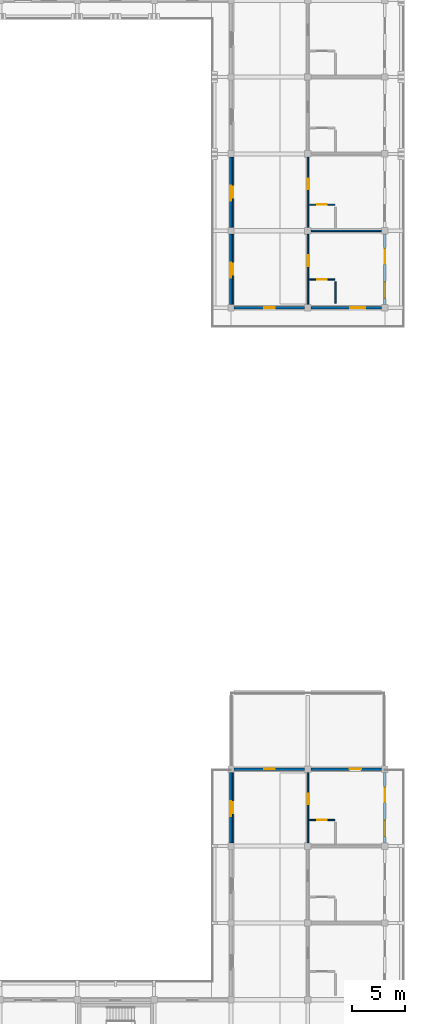
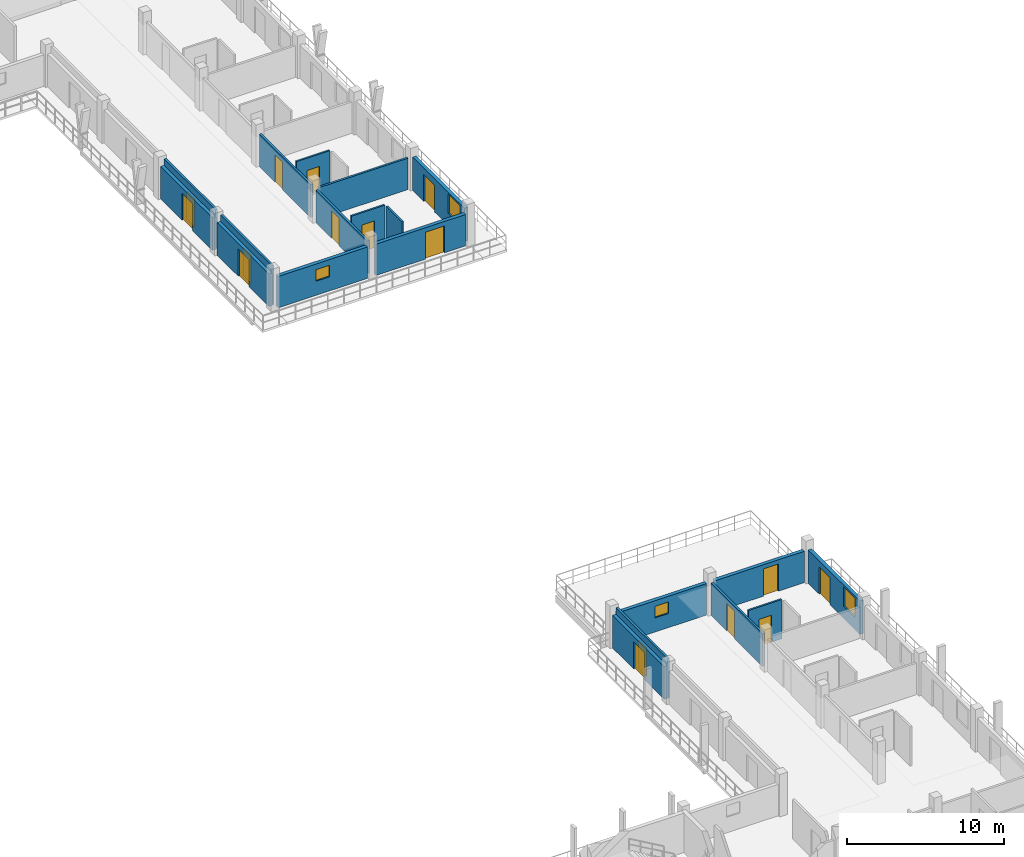
# One storey, part 53 of 75: 20 walls, 16 doors, 4 windows, 20 openings.
"""IFC4 building model written with IfcOpenShell, lengths in metres."""

from ifc_helpers import new_model, si_unit, direction, frame, frame_2d, origin, place, context, subcontext, project, spatial, rectangle, extrude, material, layer, layer_set, type_object, element, fill, save


model = new_model("IFC4")

# Units and contexts
model_context = context("Model", 3, precision=1e-05, world=origin(), true_north=direction((0.0, 1.0)))
body_context = subcontext(model_context, "Body", "Model", "MODEL_VIEW")
ifc_project = project(units=[si_unit("LENGTHUNIT", "METRE"), si_unit("AREAUNIT", "SQUARE_METRE"), si_unit("VOLUMEUNIT", "CUBIC_METRE"), si_unit("PLANEANGLEUNIT", "RADIAN"), si_unit("MASSUNIT", "GRAM", prefix="KILO")], contexts=[model_context])

# Site, building, storey
site_placement = place(None, origin())
site = spatial("IfcSite", under=ifc_project, at=site_placement, CompositionType="ELEMENT")
building_placement = place(site_placement, origin())
building = spatial("IfcBuilding", under=site, at=building_placement, Name="Suanplinth Sawtooth Commons", CompositionType="ELEMENT")
storey_placement = place(building_placement, frame((0.0, 0.0, 18.60009765625)))
storey = spatial("IfcBuildingStorey", under=building, at=storey_placement, Name="L05", CompositionType="ELEMENT", Elevation=18.60009765625)

# Wall, opening, window
ifc_material_1 = material(Name="Precast concrete C40/50", Category="concrete")
ifc_layer_1 = layer(ifc_material_1, 0.260009765625, Name="Insulated precast courtyard facade wall 260mm")
ifc_layer_set_1 = layer_set([ifc_layer_1], Name="Precast concrete C40/50")
wall_type_1 = type_object("IfcWallType", Name="W-EX02", PredefinedType="ELEMENTEDWALL", material=ifc_layer_set_1)
wall_1_placement = place(storey_placement, frame((173.10009765625, 79.199951171875, 0.0), z_axis=(0.0, 0.0, 1.0), x_axis=(1.0, 0.0, 0.0)))
wall_1 = element("IfcWall", 1, at=wall_1_placement, inside=storey, type_object=wall_type_1, Name="Facade Wall W-L05-B-S-24-11", PredefinedType="ELEMENTEDWALL", context=body_context, shape_type="SweptSolid", body=[
    extrude(rectangle(XDim=6.599853515625, YDim=0.260009765625, at=frame_2d((3.2998046875, 0.0))), origin(), (0.0, 0.0, 1.0), 2.44482421875),
])
opening_1_placement = place(wall_1_placement, frame((2.800048828125, 0.0, 1.10009765625)))
opening_1 = element("IfcOpeningElement", 2, at=opening_1_placement, cuts=wall_1, Name="Opening W0523", PredefinedType="OPENING", context=body_context, shape_type="SweptSolid", body=[
    extrude(rectangle(XDim=1.0, YDim=0.89990234375, at=frame_2d((0.5, 0.449951171875))), frame((0.0, 0.14501953125, 0.0), z_axis=(0.0, -1.0, 0.0), x_axis=(1.0, 0.0, 0.0)), (0.0, 0.0, 1.0), 0.289794921875),
])
ifc_material_2 = material(Name="Thermally broken aluminium and low-E double glazing", Category="aluminium")
window_type_1 = type_object("IfcWindowType", Name="WN-12", PartitioningType="SINGLE_PANEL", PredefinedType="WINDOW", material=ifc_material_2)
window_1_placement = place(opening_1_placement, origin())
window_1 = element("IfcWindow", 3, at=window_1_placement, inside=storey, type_object=window_type_1, Name="End Window L05-B-S-24-11", OverallHeight=0.89990234375, OverallWidth=1.0, PartitioningType="SINGLE_PANEL", PredefinedType="WINDOW", context=body_context, shape_type="SweptSolid", body=[
    extrude(rectangle(XDim=1.0, YDim=0.89990234375, at=frame_2d((0.5, 0.449951171875))), frame((0.0, 0.030029296875, 0.0), z_axis=(0.0, -1.0, 0.0), x_axis=(1.0, 0.0, 0.0)), (0.0, 0.0, 1.0), 0.06005859375),
])
fill(opening_1, window_1)

# Wall, opening, door
wall_2_placement = place(storey_placement, frame((172.800048828125, 79.5, 0.0), z_axis=(0.0, 0.0, 1.0), x_axis=(0.0, 1.0, 0.0)))
wall_2 = element("IfcWall", 4, at=wall_2_placement, inside=storey, type_object=wall_type_1, Name="Facade Wall W-L05-B-W-24-11", PredefinedType="ELEMENTEDWALL", context=body_context, shape_type="SweptSolid", body=[
    extrude(rectangle(XDim=6.60009765625, YDim=0.260009765625, at=frame_2d((3.300048828125, 0.0))), origin(), (0.0, 0.0, 1.0), 2.544921875),
])
opening_2_placement = place(wall_2_placement, frame((2.5, 0.0, 0.0)))
opening_2 = element("IfcOpeningElement", 5, at=opening_2_placement, cuts=wall_2, Name="Opening ED0430", PredefinedType="OPENING", context=body_context, shape_type="SweptSolid", body=[
    extrude(rectangle(XDim=1.39990234375, YDim=2.10009765625, at=frame_2d((0.699951171875, 1.050048828125))), frame((0.0, 0.14501953125, 0.0), z_axis=(0.0, -1.0, 0.0), x_axis=(1.0, 0.0, 0.0)), (0.0, 0.0, 1.0), 0.289794921875),
])
ifc_material_3 = material(Name="Anodized aluminium and low-E glass", Category="aluminium")
door_type_1 = type_object("IfcDoorType", Name="SD-07", OperationType="SLIDING_TO_RIGHT", PredefinedType="DOOR", material=ifc_material_3)
door_1_placement = place(opening_2_placement, frame((1.39990234375, 0.0, 0.0), z_axis=(0.0, 0.0, 1.0), x_axis=(-1.0, 0.0, 0.0)))
door_1 = element("IfcDoor", 6, at=door_1_placement, inside=storey, type_object=door_type_1, Name="Courtyard Veranda Studio Balcony Door L05-B-11", OperationType="SLIDING_TO_RIGHT", OverallHeight=2.10009765625, OverallWidth=1.39990234375, PredefinedType="DOOR", context=body_context, shape_type="SweptSolid", body=[
    extrude(rectangle(XDim=1.39990234375, YDim=2.10009765625, at=frame_2d((0.699951171875, 1.050048828125))), frame((0.0, 0.02490234375, 0.0), z_axis=(0.0, -1.0, 0.0), x_axis=(1.0, 0.0, 0.0)), (0.0, 0.0, 1.0), 0.050048828125),
])
fill(opening_2, door_1)

wall_3_placement = place(storey_placement, frame((172.800048828125, 86.699951171875, 0.0), z_axis=(0.0, 0.0, 1.0), x_axis=(0.0, 1.0, 0.0)))
wall_3 = element("IfcWall", 7, at=wall_3_placement, inside=storey, type_object=wall_type_1, Name="Facade Wall W-L05-B-W-24-12", PredefinedType="ELEMENTEDWALL", context=body_context, shape_type="SweptSolid", body=[
    extrude(rectangle(XDim=6.60009765625, YDim=0.260009765625, at=frame_2d((3.300048828125, 0.0))), origin(), (0.0, 0.0, 1.0), 2.544921875),
])
opening_3_placement = place(wall_3_placement, frame((2.5, 0.0, 0.0)))
opening_3 = element("IfcOpeningElement", 8, at=opening_3_placement, cuts=wall_3, Name="Opening ED0431", PredefinedType="OPENING", context=body_context, shape_type="SweptSolid", body=[
    extrude(rectangle(XDim=1.39990234375, YDim=2.10009765625, at=frame_2d((0.699951171875, 1.050048828125))), frame((0.0, 0.14501953125, 0.0), z_axis=(0.0, -1.0, 0.0), x_axis=(1.0, 0.0, 0.0)), (0.0, 0.0, 1.0), 0.289794921875),
])
door_2_placement = place(opening_3_placement, frame((1.39990234375, 0.0, 0.0), z_axis=(0.0, 0.0, 1.0), x_axis=(-1.0, 0.0, 0.0)))
door_2 = element("IfcDoor", 9, at=door_2_placement, inside=storey, type_object=door_type_1, Name="Courtyard Veranda Studio Balcony Door L05-B-12", OperationType="SLIDING_TO_RIGHT", OverallHeight=2.10009765625, OverallWidth=1.39990234375, PredefinedType="DOOR", context=body_context, shape_type="SweptSolid", body=[
    extrude(rectangle(XDim=1.39990234375, YDim=2.10009765625, at=frame_2d((0.699951171875, 1.050048828125))), frame((0.0, 0.02490234375, 0.0), z_axis=(0.0, -1.0, 0.0), x_axis=(1.0, 0.0, 0.0)), (0.0, 0.0, 1.0), 0.050048828125),
])
fill(opening_3, door_2)

wall_4_placement = place(storey_placement, frame((180.300048828125, 79.199951171875, 0.0), z_axis=(0.0, 0.0, 1.0), x_axis=(1.0, 0.0, 0.0)))
wall_4 = element("IfcWall", 10, at=wall_4_placement, inside=storey, type_object=wall_type_1, Name="Facade Wall W-L05-B-S-25-11", PredefinedType="ELEMENTEDWALL", context=body_context, shape_type="SweptSolid", body=[
    extrude(rectangle(XDim=6.599853515625, YDim=0.260009765625, at=frame_2d((3.2998046875, 0.0))), origin(), (0.0, 0.0, 1.0), 2.44482421875),
])
opening_4_placement = place(wall_4_placement, frame((3.64990234375, 0.0, 0.0)))
opening_4 = element("IfcOpeningElement", 11, at=opening_4_placement, cuts=wall_4, Name="Opening ED0435", PredefinedType="OPENING", context=body_context, shape_type="SweptSolid", body=[
    extrude(rectangle(XDim=1.39990234375, YDim=2.10009765625, at=frame_2d((0.699951171875, 1.050048828125))), frame((0.0, 0.14501953125, 0.0), z_axis=(0.0, -1.0, 0.0), x_axis=(1.0, 0.0, 0.0)), (0.0, 0.0, 1.0), 0.289794921875),
])
door_3_placement = place(opening_4_placement, frame((1.39990234375, 0.0, 0.0), z_axis=(0.0, 0.0, 1.0), x_axis=(-1.0, 0.0, 0.0)))
door_3 = element("IfcDoor", 12, at=door_3_placement, inside=storey, type_object=door_type_1, Name="End Balcony Sliding Door L05-B-S-25-11", OperationType="SLIDING_TO_RIGHT", OverallHeight=2.10009765625, OverallWidth=1.39990234375, PredefinedType="DOOR", context=body_context, shape_type="SweptSolid", body=[
    extrude(rectangle(XDim=1.39990234375, YDim=2.10009765625, at=frame_2d((0.699951171875, 1.050048828125))), frame((0.0, 0.02490234375, 0.0), z_axis=(0.0, -1.0, 0.0), x_axis=(1.0, 0.0, 0.0)), (0.0, 0.0, 1.0), 0.050048828125),
])
fill(opening_4, door_3)

# Wall, openings, door, window
wall_5_placement = place(storey_placement, frame((187.199951171875, 79.5, 0.0), z_axis=(0.0, 0.0, 1.0), x_axis=(0.0, 1.0, 0.0)))
wall_5 = element("IfcWall", 13, at=wall_5_placement, inside=storey, type_object=wall_type_1, Name="Facade Wall W-L05-B-E-25-11", PredefinedType="ELEMENTEDWALL", context=body_context, shape_type="SweptSolid", body=[
    extrude(rectangle(XDim=6.60009765625, YDim=0.260009765625, at=frame_2d((3.300048828125, 0.0))), origin(), (0.0, 0.0, 1.0), 2.594970703125),
])
opening_5_placement = place(wall_5_placement, frame((3.800048828125, 0.0, 0.0)))
opening_5 = element("IfcOpeningElement", 14, at=opening_5_placement, cuts=wall_5, Name="Opening ED0436", PredefinedType="OPENING", context=body_context, shape_type="SweptSolid", body=[
    extrude(rectangle(XDim=1.39990234375, YDim=2.10009765625, at=frame_2d((0.699951171875, 1.050048828125))), frame((0.0, 0.14501953125, 0.0), z_axis=(0.0, -1.0, 0.0), x_axis=(1.0, 0.0, 0.0)), (0.0, 0.0, 1.0), 0.289794921875),
])
opening_6_placement = place(wall_5_placement, frame((0.60009765625, 0.0, 0.949951171875)))
opening_6 = element("IfcOpeningElement", 15, at=opening_6_placement, cuts=wall_5, Name="Opening W0525", PredefinedType="OPENING", context=body_context, shape_type="SweptSolid", body=[
    extrude(rectangle(XDim=1.5, YDim=1.5, at=frame_2d((0.75, 0.75))), frame((0.0, 0.14501953125, 0.0), z_axis=(0.0, -1.0, 0.0), x_axis=(1.0, 0.0, 0.0)), (0.0, 0.0, 1.0), 0.289794921875),
])
door_4_placement = place(opening_5_placement, frame((1.39990234375, 0.0, 0.0), z_axis=(0.0, 0.0, 1.0), x_axis=(-1.0, 0.0, 0.0)))
door_4 = element("IfcDoor", 16, at=door_4_placement, inside=storey, type_object=door_type_1, Name="Wing Balcony Sliding Door L05-B-11", OperationType="SLIDING_TO_RIGHT", OverallHeight=2.10009765625, OverallWidth=1.39990234375, PredefinedType="DOOR", context=body_context, shape_type="SweptSolid", body=[
    extrude(rectangle(XDim=1.39990234375, YDim=2.10009765625, at=frame_2d((0.699951171875, 1.050048828125))), frame((0.0, 0.02490234375, 0.0), z_axis=(0.0, -1.0, 0.0), x_axis=(1.0, 0.0, 0.0)), (0.0, 0.0, 1.0), 0.050048828125),
])
fill(opening_5, door_4)
window_type_2 = type_object("IfcWindowType", Name="WN-02", PartitioningType="DOUBLE_PANEL_VERTICAL", PredefinedType="WINDOW", material=ifc_material_2)
window_2_placement = place(opening_6_placement, origin())
window_2 = element("IfcWindow", 17, at=window_2_placement, inside=storey, type_object=window_type_2, Name="Wing Window L05-B-11", OverallHeight=1.5, OverallWidth=1.5, PartitioningType="DOUBLE_PANEL_VERTICAL", PredefinedType="WINDOW", context=body_context, shape_type="SweptSolid", body=[
    extrude(rectangle(XDim=1.5, YDim=1.5, at=frame_2d((0.75, 0.75))), frame((0.0, 0.030029296875, 0.0), z_axis=(0.0, -1.0, 0.0), x_axis=(1.0, 0.0, 0.0)), (0.0, 0.0, 1.0), 0.06005859375),
])
fill(opening_6, window_2)

# Wall, opening, window
wall_6_placement = place(storey_placement, frame((173.10009765625, 36.0, 0.0), z_axis=(0.0, 0.0, 1.0), x_axis=(1.0, 0.0, 0.0)))
wall_6 = element("IfcWall", 18, at=wall_6_placement, inside=storey, type_object=wall_type_1, Name="Facade Wall W-L05-C-N-24-4", PredefinedType="ELEMENTEDWALL", context=body_context, shape_type="SweptSolid", body=[
    extrude(rectangle(XDim=6.599853515625, YDim=0.260009765625, at=frame_2d((3.2998046875, 0.0))), origin(), (0.0, 0.0, 1.0), 2.44482421875),
])
opening_7_placement = place(wall_6_placement, frame((2.800048828125, 0.0, 1.10009765625)))
opening_7 = element("IfcOpeningElement", 19, at=opening_7_placement, cuts=wall_6, Name="Opening W0544", PredefinedType="OPENING", context=body_context, shape_type="SweptSolid", body=[
    extrude(rectangle(XDim=1.0, YDim=0.89990234375, at=frame_2d((0.5, 0.449951171875))), frame((0.0, 0.14501953125, 0.0), z_axis=(0.0, -1.0, 0.0), x_axis=(1.0, 0.0, 0.0)), (0.0, 0.0, 1.0), 0.289794921875),
])
window_3_placement = place(opening_7_placement, origin())
window_3 = element("IfcWindow", 20, at=window_3_placement, inside=storey, type_object=window_type_1, Name="End Window L05-C-N-24-4", OverallHeight=0.89990234375, OverallWidth=1.0, PartitioningType="SINGLE_PANEL", PredefinedType="WINDOW", context=body_context, shape_type="SweptSolid", body=[
    extrude(rectangle(XDim=1.0, YDim=0.89990234375, at=frame_2d((0.5, 0.449951171875))), frame((0.0, 0.030029296875, 0.0), z_axis=(0.0, -1.0, 0.0), x_axis=(1.0, 0.0, 0.0)), (0.0, 0.0, 1.0), 0.06005859375),
])
fill(opening_7, window_3)

# Wall, opening, door
wall_7_placement = place(storey_placement, frame((172.800048828125, 29.10009765625, 0.0), z_axis=(0.0, 0.0, 1.0), x_axis=(0.0, 1.0, 0.0)))
wall_7 = element("IfcWall", 21, at=wall_7_placement, inside=storey, type_object=wall_type_1, Name="Facade Wall W-L05-C-W-24-4", PredefinedType="ELEMENTEDWALL", context=body_context, shape_type="SweptSolid", body=[
    extrude(rectangle(XDim=6.599853515625, YDim=0.260009765625, at=frame_2d((3.2998046875, 0.0))), origin(), (0.0, 0.0, 1.0), 2.544921875),
])
opening_8_placement = place(wall_7_placement, frame((2.5, 0.0, 0.0)))
opening_8 = element("IfcOpeningElement", 22, at=opening_8_placement, cuts=wall_7, Name="Opening ED0453", PredefinedType="OPENING", context=body_context, shape_type="SweptSolid", body=[
    extrude(rectangle(XDim=1.39990234375, YDim=2.10009765625, at=frame_2d((0.699951171875, 1.050048828125))), frame((0.0, 0.14501953125, 0.0), z_axis=(0.0, -1.0, 0.0), x_axis=(1.0, 0.0, 0.0)), (0.0, 0.0, 1.0), 0.289794921875),
])
door_5_placement = place(opening_8_placement, frame((1.39990234375, 0.0, 0.0), z_axis=(0.0, 0.0, 1.0), x_axis=(-1.0, 0.0, 0.0)))
door_5 = element("IfcDoor", 23, at=door_5_placement, inside=storey, type_object=door_type_1, Name="Courtyard Veranda Studio Balcony Door L05-C-4", OperationType="SLIDING_TO_RIGHT", OverallHeight=2.10009765625, OverallWidth=1.39990234375, PredefinedType="DOOR", context=body_context, shape_type="SweptSolid", body=[
    extrude(rectangle(XDim=1.39990234375, YDim=2.10009765625, at=frame_2d((0.699951171875, 1.050048828125))), frame((0.0, 0.02490234375, 0.0), z_axis=(0.0, -1.0, 0.0), x_axis=(1.0, 0.0, 0.0)), (0.0, 0.0, 1.0), 0.050048828125),
])
fill(opening_8, door_5)

wall_8_placement = place(storey_placement, frame((180.300048828125, 36.0, 0.0), z_axis=(0.0, 0.0, 1.0), x_axis=(1.0, 0.0, 0.0)))
wall_8 = element("IfcWall", 24, at=wall_8_placement, inside=storey, type_object=wall_type_1, Name="Facade Wall W-L05-C-N-25-4", PredefinedType="ELEMENTEDWALL", context=body_context, shape_type="SweptSolid", body=[
    extrude(rectangle(XDim=6.599853515625, YDim=0.260009765625, at=frame_2d((3.2998046875, 0.0))), origin(), (0.0, 0.0, 1.0), 2.44482421875),
])
opening_9_placement = place(wall_8_placement, frame((3.60009765625, 0.0, 0.0)))
opening_9 = element("IfcOpeningElement", 25, at=opening_9_placement, cuts=wall_8, Name="Opening ED0459", PredefinedType="OPENING", context=body_context, shape_type="SweptSolid", body=[
    extrude(rectangle(XDim=1.080078125, YDim=2.1201171875, at=frame_2d((0.5400390625, 1.06005859375))), frame((0.0, 0.14501953125, 0.0), z_axis=(0.0, -1.0, 0.0), x_axis=(1.0, 0.0, 0.0)), (0.0, 0.0, 1.0), 0.289794921875),
])
door_type_2 = type_object("IfcDoorType", Name="ED-10", OperationType="NOTDEFINED", PredefinedType="DOOR", material=ifc_material_3)
door_6_placement = place(opening_9_placement, frame((1.080078125, 0.0, 0.0), z_axis=(0.0, 0.0, 1.0), x_axis=(-1.0, 0.0, 0.0)))
door_6 = element("IfcDoor", 26, at=door_6_placement, inside=storey, type_object=door_type_2, Name="L05 Block C Stepped Sky-Terrace Door 2", OperationType="SINGLE_SWING_RIGHT", OverallHeight=2.1201171875, OverallWidth=1.080078125, PredefinedType="DOOR", context=body_context, shape_type="SweptSolid", body=[
    extrude(rectangle(XDim=1.080078125, YDim=2.1201171875, at=frame_2d((0.5400390625, 1.06005859375))), frame((0.0, 0.02490234375, 0.0), z_axis=(0.0, -1.0, 0.0), x_axis=(1.0, 0.0, 0.0)), (0.0, 0.0, 1.0), 0.050048828125),
])
fill(opening_9, door_6)

# Wall, openings, door, window
wall_9_placement = place(storey_placement, frame((187.199951171875, 29.10009765625, 0.0), z_axis=(0.0, 0.0, 1.0), x_axis=(0.0, 1.0, 0.0)))
wall_9 = element("IfcWall", 27, at=wall_9_placement, inside=storey, type_object=wall_type_1, Name="Facade Wall W-L05-C-E-25-4", PredefinedType="ELEMENTEDWALL", context=body_context, shape_type="SweptSolid", body=[
    extrude(rectangle(XDim=6.599853515625, YDim=0.260009765625, at=frame_2d((3.2998046875, 0.0))), origin(), (0.0, 0.0, 1.0), 2.594970703125),
])
opening_10_placement = place(wall_9_placement, frame((3.800048828125, 0.0, 0.0)))
opening_10 = element("IfcOpeningElement", 28, at=opening_10_placement, cuts=wall_9, Name="Opening ED0460", PredefinedType="OPENING", context=body_context, shape_type="SweptSolid", body=[
    extrude(rectangle(XDim=1.39990234375, YDim=2.10009765625, at=frame_2d((0.699951171875, 1.050048828125))), frame((0.0, 0.14501953125, 0.0), z_axis=(0.0, -1.0, 0.0), x_axis=(1.0, 0.0, 0.0)), (0.0, 0.0, 1.0), 0.289794921875),
])
opening_11_placement = place(wall_9_placement, frame((0.60009765625, 0.0, 0.949951171875)))
opening_11 = element("IfcOpeningElement", 29, at=opening_11_placement, cuts=wall_9, Name="Opening W0549", PredefinedType="OPENING", context=body_context, shape_type="SweptSolid", body=[
    extrude(rectangle(XDim=1.5, YDim=1.5, at=frame_2d((0.75, 0.75))), frame((0.0, 0.14501953125, 0.0), z_axis=(0.0, -1.0, 0.0), x_axis=(1.0, 0.0, 0.0)), (0.0, 0.0, 1.0), 0.289794921875),
])
door_7_placement = place(opening_10_placement, frame((1.39990234375, 0.0, 0.0), z_axis=(0.0, 0.0, 1.0), x_axis=(-1.0, 0.0, 0.0)))
door_7 = element("IfcDoor", 30, at=door_7_placement, inside=storey, type_object=door_type_1, Name="Wing Balcony Sliding Door L05-C-4", OperationType="SLIDING_TO_RIGHT", OverallHeight=2.10009765625, OverallWidth=1.39990234375, PredefinedType="DOOR", context=body_context, shape_type="SweptSolid", body=[
    extrude(rectangle(XDim=1.39990234375, YDim=2.10009765625, at=frame_2d((0.699951171875, 1.050048828125))), frame((0.0, 0.02490234375, 0.0), z_axis=(0.0, -1.0, 0.0), x_axis=(1.0, 0.0, 0.0)), (0.0, 0.0, 1.0), 0.050048828125),
])
fill(opening_10, door_7)
window_4_placement = place(opening_11_placement, origin())
window_4 = element("IfcWindow", 31, at=window_4_placement, inside=storey, type_object=window_type_2, Name="Wing Window L05-C-4", OverallHeight=1.5, OverallWidth=1.5, PartitioningType="DOUBLE_PANEL_VERTICAL", PredefinedType="WINDOW", context=body_context, shape_type="SweptSolid", body=[
    extrude(rectangle(XDim=1.5, YDim=1.5, at=frame_2d((0.75, 0.75))), frame((0.0, 0.030029296875, 0.0), z_axis=(0.0, -1.0, 0.0), x_axis=(1.0, 0.0, 0.0)), (0.0, 0.0, 1.0), 0.06005859375),
])
fill(opening_11, window_4)

# Wall, opening, door
ifc_layer_2 = layer(ifc_material_1, 0.159912109375, Name="Fire-rated corridor and lobby wall 160mm")
ifc_layer_set_2 = layer_set([ifc_layer_2], Name="Precast concrete C40/50")
wall_type_2 = type_object("IfcWallType", Name="W-FW01", PredefinedType="PARTITIONING", material=ifc_layer_set_2)
wall_10_placement = place(storey_placement, frame((180.0, 79.530029296875, 0.0), z_axis=(0.0, 0.0, 1.0), x_axis=(0.0, 1.0, 0.0)))
wall_10 = element("IfcWall", 32, at=wall_10_placement, inside=storey, type_object=wall_type_2, Name="W-B-L05-L01-COR", PredefinedType="PARTITIONING", context=body_context, shape_type="SweptSolid", body=[
    extrude(rectangle(XDim=6.5400390625, YDim=0.159912109375, at=frame_2d((3.27001953125, 0.0))), origin(), (0.0, 0.0, 1.0), 2.544921875),
])
opening_12_placement = place(wall_10_placement, frame((3.570068359375, 0.0, 0.0)))
opening_12 = element("IfcOpeningElement", 33, at=opening_12_placement, cuts=wall_10, Name="Opening FD1279", PredefinedType="OPENING", context=body_context, shape_type="SweptSolid", body=[
    extrude(rectangle(XDim=1.0, YDim=2.14990234375, at=frame_2d((0.5, 1.074951171875))), frame((0.0, 0.0947265625, 0.0), z_axis=(0.0, -1.0, 0.0), x_axis=(1.0, 0.0, 0.0)), (0.0, 0.0, 1.0), 0.189697265625),
])
ifc_material_4 = material(Name="Teak hardwood fire-rated door assembly", Category="wood")
door_type_3 = type_object("IfcDoorType", Name="FD-03", OperationType="NOTDEFINED", PredefinedType="DOOR", material=ifc_material_4)
door_8_placement = place(opening_12_placement, frame((1.0, 0.0, 0.0), z_axis=(0.0, 0.0, 1.0), x_axis=(-1.0, 0.0, 0.0)))
door_8 = element("IfcDoor", 34, at=door_8_placement, inside=storey, type_object=door_type_3, Name="Wing Unit Entrance Door FD1279", OperationType="SINGLE_SWING_LEFT", OverallHeight=2.14990234375, OverallWidth=1.0, PredefinedType="DOOR", context=body_context, shape_type="SweptSolid", body=[
    extrude(rectangle(XDim=1.0, YDim=2.14990234375, at=frame_2d((0.5, 1.074951171875))), frame((0.0, 0.02490234375, 0.0), z_axis=(0.0, -1.0, 0.0), x_axis=(1.0, 0.0, 0.0)), (0.0, 0.0, 1.0), 0.050048828125),
])
fill(opening_12, door_8)

wall_11_placement = place(storey_placement, frame((173.0, 79.530029296875, 0.0), z_axis=(0.0, 0.0, 1.0), x_axis=(0.0, 1.0, 0.0)))
wall_11 = element("IfcWall", 35, at=wall_11_placement, inside=storey, type_object=wall_type_2, Name="W-B-L05-LEGCOURTROOM-34-COR", PredefinedType="PARTITIONING", context=body_context, shape_type="SweptSolid", body=[
    extrude(rectangle(XDim=6.5400390625, YDim=0.159912109375, at=frame_2d((3.27001953125, 0.0))), origin(), (0.0, 0.0, 1.0), 3.059814453125),
])
opening_13_placement = place(wall_11_placement, frame((2.760009765625, 0.0, 0.0)))
opening_13 = element("IfcOpeningElement", 36, at=opening_13_placement, cuts=wall_11, Name="Opening D1281", PredefinedType="OPENING", context=body_context, shape_type="SweptSolid", body=[
    extrude(rectangle(XDim=1.02001953125, YDim=2.179931640625, at=frame_2d((0.510009765625, 1.08984375))), frame((0.0, 0.0947265625, 0.0), z_axis=(0.0, -1.0, 0.0), x_axis=(1.0, 0.0, 0.0)), (0.0, 0.0, 1.0), 0.189697265625),
])
ifc_material_5 = material(Name="Teak hardwood", Category="wood")
door_type_4 = type_object("IfcDoorType", Name="D-16", OperationType="NOTDEFINED", PredefinedType="DOOR", material=ifc_material_5)
door_9_placement = place(opening_13_placement, origin())
door_9 = element("IfcDoor", 37, at=door_9_placement, inside=storey, type_object=door_type_4, Name="Veranda Studio Door D1281", OperationType="SINGLE_SWING_LEFT", OverallHeight=2.179931640625, OverallWidth=1.02001953125, PredefinedType="DOOR", context=body_context, shape_type="SweptSolid", body=[
    extrude(rectangle(XDim=1.02001953125, YDim=2.179931640625, at=frame_2d((0.510009765625, 1.08984375))), frame((0.0, 0.02490234375, 0.0), z_axis=(0.0, -1.0, 0.0), x_axis=(1.0, 0.0, 0.0)), (0.0, 0.0, 1.0), 0.050048828125),
])
fill(opening_13, door_9)

wall_12_placement = place(storey_placement, frame((180.0, 86.72998046875, 0.0), z_axis=(0.0, 0.0, 1.0), x_axis=(0.0, 1.0, 0.0)))
wall_12 = element("IfcWall", 38, at=wall_12_placement, inside=storey, type_object=wall_type_2, Name="W-B-L05-L02-COR", PredefinedType="PARTITIONING", context=body_context, shape_type="SweptSolid", body=[
    extrude(rectangle(XDim=6.5400390625, YDim=0.159912109375, at=frame_2d((3.27001953125, 0.0))), origin(), (0.0, 0.0, 1.0), 2.544921875),
])
opening_14_placement = place(wall_12_placement, frame((3.570068359375, 0.0, 0.0)))
opening_14 = element("IfcOpeningElement", 39, at=opening_14_placement, cuts=wall_12, Name="Opening FD1282", PredefinedType="OPENING", context=body_context, shape_type="SweptSolid", body=[
    extrude(rectangle(XDim=1.0, YDim=2.14990234375, at=frame_2d((0.5, 1.074951171875))), frame((0.0, 0.0947265625, 0.0), z_axis=(0.0, -1.0, 0.0), x_axis=(1.0, 0.0, 0.0)), (0.0, 0.0, 1.0), 0.189697265625),
])
door_10_placement = place(opening_14_placement, frame((1.0, 0.0, 0.0), z_axis=(0.0, 0.0, 1.0), x_axis=(-1.0, 0.0, 0.0)))
door_10 = element("IfcDoor", 40, at=door_10_placement, inside=storey, type_object=door_type_3, Name="Wing Unit Entrance Door FD1282", OperationType="SINGLE_SWING_RIGHT", OverallHeight=2.14990234375, OverallWidth=1.0, PredefinedType="DOOR", context=body_context, shape_type="SweptSolid", body=[
    extrude(rectangle(XDim=1.0, YDim=2.14990234375, at=frame_2d((0.5, 1.074951171875))), frame((0.0, 0.02490234375, 0.0), z_axis=(0.0, -1.0, 0.0), x_axis=(1.0, 0.0, 0.0)), (0.0, 0.0, 1.0), 0.050048828125),
])
fill(opening_14, door_10)

wall_13_placement = place(storey_placement, frame((173.0, 86.72998046875, 0.0), z_axis=(0.0, 0.0, 1.0), x_axis=(0.0, 1.0, 0.0)))
wall_13 = element("IfcWall", 41, at=wall_13_placement, inside=storey, type_object=wall_type_2, Name="W-B-L05-LEGCOURTROOM-36-COR", PredefinedType="PARTITIONING", context=body_context, shape_type="SweptSolid", body=[
    extrude(rectangle(XDim=6.5400390625, YDim=0.159912109375, at=frame_2d((3.27001953125, 0.0))), origin(), (0.0, 0.0, 1.0), 3.059814453125),
])
opening_15_placement = place(wall_13_placement, frame((2.760009765625, 0.0, 0.0)))
opening_15 = element("IfcOpeningElement", 42, at=opening_15_placement, cuts=wall_13, Name="Opening D1284", PredefinedType="OPENING", context=body_context, shape_type="SweptSolid", body=[
    extrude(rectangle(XDim=1.02001953125, YDim=2.179931640625, at=frame_2d((0.510009765625, 1.08984375))), frame((0.0, 0.0947265625, 0.0), z_axis=(0.0, -1.0, 0.0), x_axis=(1.0, 0.0, 0.0)), (0.0, 0.0, 1.0), 0.189697265625),
])
door_11_placement = place(opening_15_placement, origin())
door_11 = element("IfcDoor", 43, at=door_11_placement, inside=storey, type_object=door_type_4, Name="Veranda Studio Door D1284", OperationType="SINGLE_SWING_RIGHT", OverallHeight=2.179931640625, OverallWidth=1.02001953125, PredefinedType="DOOR", context=body_context, shape_type="SweptSolid", body=[
    extrude(rectangle(XDim=1.02001953125, YDim=2.179931640625, at=frame_2d((0.510009765625, 1.08984375))), frame((0.0, 0.02490234375, 0.0), z_axis=(0.0, -1.0, 0.0), x_axis=(1.0, 0.0, 0.0)), (0.0, 0.0, 1.0), 0.050048828125),
])
fill(opening_15, door_11)

wall_14_placement = place(storey_placement, frame((180.0, 29.1298828125, 0.0), z_axis=(0.0, 0.0, 1.0), x_axis=(0.0, 1.0, 0.0)))
wall_14 = element("IfcWall", 44, at=wall_14_placement, inside=storey, type_object=wall_type_2, Name="W-C-L05-L03-COR", PredefinedType="PARTITIONING", context=body_context, shape_type="SweptSolid", body=[
    extrude(rectangle(XDim=6.5400390625, YDim=0.159912109375, at=frame_2d((3.27001953125, 0.0))), origin(), (0.0, 0.0, 1.0), 2.544921875),
])
opening_16_placement = place(wall_14_placement, frame((3.570068359375, 0.0, 0.0)))
opening_16 = element("IfcOpeningElement", 45, at=opening_16_placement, cuts=wall_14, Name="Opening FD1322", PredefinedType="OPENING", context=body_context, shape_type="SweptSolid", body=[
    extrude(rectangle(XDim=1.0, YDim=2.14990234375, at=frame_2d((0.5, 1.074951171875))), frame((0.0, 0.0947265625, 0.0), z_axis=(0.0, -1.0, 0.0), x_axis=(1.0, 0.0, 0.0)), (0.0, 0.0, 1.0), 0.189697265625),
])
door_12_placement = place(opening_16_placement, frame((1.0, 0.0, 0.0), z_axis=(0.0, 0.0, 1.0), x_axis=(-1.0, 0.0, 0.0)))
door_12 = element("IfcDoor", 46, at=door_12_placement, inside=storey, type_object=door_type_3, Name="Wing Unit Entrance Door FD1322", OperationType="SINGLE_SWING_RIGHT", OverallHeight=2.14990234375, OverallWidth=1.0, PredefinedType="DOOR", context=body_context, shape_type="SweptSolid", body=[
    extrude(rectangle(XDim=1.0, YDim=2.14990234375, at=frame_2d((0.5, 1.074951171875))), frame((0.0, 0.02490234375, 0.0), z_axis=(0.0, -1.0, 0.0), x_axis=(1.0, 0.0, 0.0)), (0.0, 0.0, 1.0), 0.050048828125),
])
fill(opening_16, door_12)

wall_15_placement = place(storey_placement, frame((173.0, 29.1298828125, 0.0), z_axis=(0.0, 0.0, 1.0), x_axis=(0.0, 1.0, 0.0)))
wall_15 = element("IfcWall", 47, at=wall_15_placement, inside=storey, type_object=wall_type_2, Name="W-C-L05-LEGCOURTROOM-53-COR", PredefinedType="PARTITIONING", context=body_context, shape_type="SweptSolid", body=[
    extrude(rectangle(XDim=6.5400390625, YDim=0.159912109375, at=frame_2d((3.27001953125, 0.0))), origin(), (0.0, 0.0, 1.0), 3.059814453125),
])
opening_17_placement = place(wall_15_placement, frame((2.760009765625, 0.0, 0.0)))
opening_17 = element("IfcOpeningElement", 48, at=opening_17_placement, cuts=wall_15, Name="Opening D1324", PredefinedType="OPENING", context=body_context, shape_type="SweptSolid", body=[
    extrude(rectangle(XDim=1.02001953125, YDim=2.179931640625, at=frame_2d((0.510009765625, 1.08984375))), frame((0.0, 0.0947265625, 0.0), z_axis=(0.0, -1.0, 0.0), x_axis=(1.0, 0.0, 0.0)), (0.0, 0.0, 1.0), 0.189697265625),
])
door_13_placement = place(opening_17_placement, origin())
door_13 = element("IfcDoor", 49, at=door_13_placement, inside=storey, type_object=door_type_4, Name="Veranda Studio Door D1324", OperationType="SINGLE_SWING_RIGHT", OverallHeight=2.179931640625, OverallWidth=1.02001953125, PredefinedType="DOOR", context=body_context, shape_type="SweptSolid", body=[
    extrude(rectangle(XDim=1.02001953125, YDim=2.179931640625, at=frame_2d((0.510009765625, 1.08984375))), frame((0.0, 0.02490234375, 0.0), z_axis=(0.0, -1.0, 0.0), x_axis=(1.0, 0.0, 0.0)), (0.0, 0.0, 1.0), 0.050048828125),
])
fill(opening_17, door_13)

# Wall
ifc_layer_3 = layer(ifc_material_1, 0.14990234375, Name="Acoustic precast party demising wall 150mm")
ifc_layer_set_3 = layer_set([ifc_layer_3], Name="Precast concrete C40/50")
wall_type_3 = type_object("IfcWallType", Name="W-FW02", PredefinedType="PARTITIONING", material=ifc_layer_set_3)
wall_16_placement = place(storey_placement, frame((180.330078125, 86.39990234375, 0.0), z_axis=(0.0, 0.0, 1.0), x_axis=(1.0, 0.0, 0.0)))
element("IfcWall", 50, at=wall_16_placement, inside=storey, type_object=wall_type_3, Name="W-B-L05-L01-PTY", PredefinedType="PARTITIONING", context=body_context, shape_type="SweptSolid", body=[
    extrude(rectangle(XDim=6.5400390625, YDim=0.14990234375, at=frame_2d((3.27001953125, 0.0))), origin(), (0.0, 0.0, 1.0), 2.44482421875),
])

# Wall, opening, door
ifc_material_6 = material(Name="Gypsum plasterboard on steel stud", Category="steel")
ifc_layer_4 = layer(ifc_material_6, 0.1298828125, Name="Moisture-resistant bathroom partition 130mm")
ifc_layer_set_4 = layer_set([ifc_layer_4], Name="Gypsum plasterboard on steel stud")
wall_type_4 = type_object("IfcWallType", Name="W-PT02", PredefinedType="PARTITIONING", material=ifc_layer_set_4)
wall_17_placement = place(storey_placement, frame((180.080078125, 81.844970703125, 0.0), z_axis=(0.0, 0.0, 1.0), x_axis=(1.0, 0.0, 0.0)))
wall_17 = element("IfcWall", 51, at=wall_17_placement, inside=storey, type_object=wall_type_4, Name="W-B-L05-L01-BTH1", PredefinedType="PARTITIONING", context=body_context, shape_type="SweptSolid", body=[
    extrude(rectangle(XDim=2.449951171875, YDim=0.1298828125, at=frame_2d((1.22509765625, 0.0))), origin(), (0.0, 0.0, 1.0), 3.059814453125),
])
opening_18_placement = place(wall_17_placement, frame((0.77490234375, 0.0, 0.0)))
opening_18 = element("IfcOpeningElement", 52, at=opening_18_placement, cuts=wall_17, Name="Opening D1280", PredefinedType="OPENING", context=body_context, shape_type="SweptSolid", body=[
    extrude(rectangle(XDim=0.89990234375, YDim=2.10009765625, at=frame_2d((0.449951171875, 1.050048828125))), frame((0.0, 0.079833984375, 0.0), z_axis=(0.0, -1.0, 0.0), x_axis=(1.0, 0.0, 0.0)), (0.0, 0.0, 1.0), 0.15966796875),
])
door_type_5 = type_object("IfcDoorType", Name="D-01", OperationType="NOTDEFINED", PredefinedType="DOOR", material=ifc_material_5)
door_14_placement = place(opening_18_placement, frame((0.89990234375, 0.0, 0.0), z_axis=(0.0, 0.0, 1.0), x_axis=(-1.0, 0.0, 0.0)))
door_14 = element("IfcDoor", 53, at=door_14_placement, inside=storey, type_object=door_type_5, Name="Bathroom Door D1280", OperationType="SINGLE_SWING_RIGHT", OverallHeight=2.10009765625, OverallWidth=0.89990234375, PredefinedType="DOOR", context=body_context, shape_type="SweptSolid", body=[
    extrude(rectangle(XDim=0.89990234375, YDim=2.10009765625, at=frame_2d((0.449951171875, 1.050048828125))), frame((0.0, 0.02490234375, 0.0), z_axis=(0.0, -1.0, 0.0), x_axis=(1.0, 0.0, 0.0)), (0.0, 0.0, 1.0), 0.050048828125),
])
fill(opening_18, door_14)

# Wall
wall_18_placement = place(storey_placement, frame((182.594970703125, 79.6298828125, 0.0), z_axis=(0.0, 0.0, 1.0), x_axis=(0.0, 1.0, 0.0)))
element("IfcWall", 54, at=wall_18_placement, inside=storey, type_object=wall_type_4, Name="W-B-L05-L01-BTH2", PredefinedType="PARTITIONING", context=body_context, shape_type="SweptSolid", body=[
    extrude(rectangle(XDim=2.0, YDim=0.1298828125, at=frame_2d((1.0, 0.0))), origin(), (0.0, 0.0, 1.0), 3.059814453125),
])

# Wall, opening, door
wall_19_placement = place(storey_placement, frame((180.080078125, 88.844970703125, 0.0), z_axis=(0.0, 0.0, 1.0), x_axis=(1.0, 0.0, 0.0)))
wall_19 = element("IfcWall", 55, at=wall_19_placement, inside=storey, type_object=wall_type_4, Name="W-B-L05-L02-BTH1", PredefinedType="PARTITIONING", context=body_context, shape_type="SweptSolid", body=[
    extrude(rectangle(XDim=2.449951171875, YDim=0.1298828125, at=frame_2d((1.22509765625, 0.0))), origin(), (0.0, 0.0, 1.0), 3.059814453125),
])
opening_19_placement = place(wall_19_placement, frame((0.77490234375, 0.0, 0.0)))
opening_19 = element("IfcOpeningElement", 56, at=opening_19_placement, cuts=wall_19, Name="Opening D1283", PredefinedType="OPENING", context=body_context, shape_type="SweptSolid", body=[
    extrude(rectangle(XDim=0.89990234375, YDim=2.10009765625, at=frame_2d((0.449951171875, 1.050048828125))), frame((0.0, 0.079833984375, 0.0), z_axis=(0.0, -1.0, 0.0), x_axis=(1.0, 0.0, 0.0)), (0.0, 0.0, 1.0), 0.15966796875),
])
door_15_placement = place(opening_19_placement, frame((0.89990234375, 0.0, 0.0), z_axis=(0.0, 0.0, 1.0), x_axis=(-1.0, 0.0, 0.0)))
door_15 = element("IfcDoor", 57, at=door_15_placement, inside=storey, type_object=door_type_5, Name="Bathroom Door D1283", OperationType="SINGLE_SWING_LEFT", OverallHeight=2.10009765625, OverallWidth=0.89990234375, PredefinedType="DOOR", context=body_context, shape_type="SweptSolid", body=[
    extrude(rectangle(XDim=0.89990234375, YDim=2.10009765625, at=frame_2d((0.449951171875, 1.050048828125))), frame((0.0, 0.02490234375, 0.0), z_axis=(0.0, -1.0, 0.0), x_axis=(1.0, 0.0, 0.0)), (0.0, 0.0, 1.0), 0.050048828125),
])
fill(opening_19, door_15)

wall_20_placement = place(storey_placement, frame((180.080078125, 31.2451171875, 0.0), z_axis=(0.0, 0.0, 1.0), x_axis=(1.0, 0.0, 0.0)))
wall_20 = element("IfcWall", 58, at=wall_20_placement, inside=storey, type_object=wall_type_4, Name="W-C-L05-L03-BTH1", PredefinedType="PARTITIONING", context=body_context, shape_type="SweptSolid", body=[
    extrude(rectangle(XDim=2.449951171875, YDim=0.1298828125, at=frame_2d((1.22509765625, 0.0))), origin(), (0.0, 0.0, 1.0), 3.059814453125),
])
opening_20_placement = place(wall_20_placement, frame((0.77490234375, 0.0, 0.0)))
opening_20 = element("IfcOpeningElement", 59, at=opening_20_placement, cuts=wall_20, Name="Opening D1323", PredefinedType="OPENING", context=body_context, shape_type="SweptSolid", body=[
    extrude(rectangle(XDim=0.89990234375, YDim=2.10009765625, at=frame_2d((0.449951171875, 1.050048828125))), frame((0.0, 0.079833984375, 0.0), z_axis=(0.0, -1.0, 0.0), x_axis=(1.0, 0.0, 0.0)), (0.0, 0.0, 1.0), 0.15966796875),
])
door_16_placement = place(opening_20_placement, frame((0.89990234375, 0.0, 0.0), z_axis=(0.0, 0.0, 1.0), x_axis=(-1.0, 0.0, 0.0)))
door_16 = element("IfcDoor", 60, at=door_16_placement, inside=storey, type_object=door_type_5, Name="Bathroom Door D1323", OperationType="SINGLE_SWING_LEFT", OverallHeight=2.10009765625, OverallWidth=0.89990234375, PredefinedType="DOOR", context=body_context, shape_type="SweptSolid", body=[
    extrude(rectangle(XDim=0.89990234375, YDim=2.10009765625, at=frame_2d((0.449951171875, 1.050048828125))), frame((0.0, 0.02490234375, 0.0), z_axis=(0.0, -1.0, 0.0), x_axis=(1.0, 0.0, 0.0)), (0.0, 0.0, 1.0), 0.050048828125),
])
fill(opening_20, door_16)

save(model, "model.ifc")
